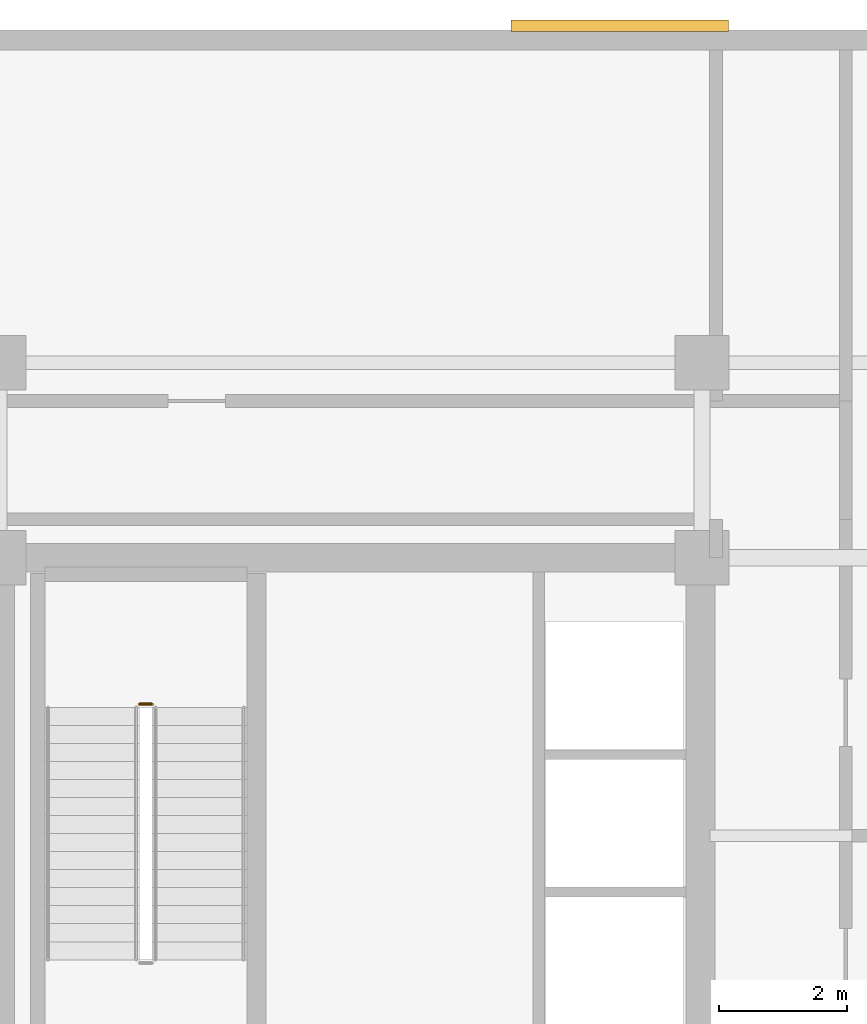
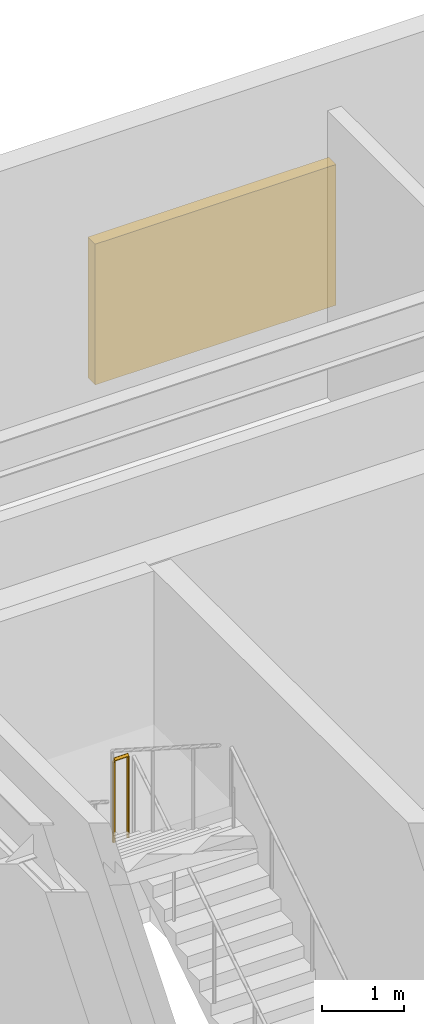
# One storey, part 14 of 14: 1 railing, 1 shading device.
"""IFC4 building model written with IfcOpenShell, lengths in metres."""

from ifc_helpers import new_model, si_unit, direction, frame, origin, origin_2d, place, context, subcontext, project, spatial, rectangle, circle, extrude, material, layer, layer_set, type_object, element, save


model = new_model("IFC4")

# Units and contexts
model_context = context("Model", 3, precision=1e-05, world=origin(), true_north=direction((0.0, 1.0)))
body_context = subcontext(model_context, "Body", "Model", "MODEL_VIEW")
ifc_project = project(units=[si_unit("LENGTHUNIT", "METRE"), si_unit("AREAUNIT", "SQUARE_METRE"), si_unit("VOLUMEUNIT", "CUBIC_METRE"), si_unit("PLANEANGLEUNIT", "RADIAN"), si_unit("MASSUNIT", "GRAM", prefix="KILO")], contexts=[model_context])

# Site, building, storey
site_placement = place(None, origin())
site = spatial("IfcSite", under=ifc_project, at=site_placement, CompositionType="ELEMENT")
building_placement = place(site_placement, origin())
building = spatial("IfcBuilding", under=site, at=building_placement, Name="Ochreholt Gables", CompositionType="ELEMENT")
storey_placement = place(building_placement, frame((0.0, 0.0, 71.39990234375)))
storey = spatial("IfcBuildingStorey", under=building, at=storey_placement, Name="L18", CompositionType="ELEMENT", Elevation=71.39990234375)

# Railing
ifc_material_1 = material(Name="Painted Steel Stair Guardrail", Category="steel")
railing_type = type_object("IfcRailingType", Name="RL-ST-GUARD", PredefinedType="GUARDRAIL", material=ifc_material_1)
railing_placement = place(storey_placement, frame((26.60009765625, 36.4580078125, 2.7001953125)))
element("IfcRailing", 1, at=railing_placement, inside=storey, type_object=railing_type, Name="L18 ST-2 stair guard 2", PredefinedType="GUARDRAIL", context=body_context, shape_type="SweptSolid", body=[
    extrude(circle(Radius=0.02392578125, at=origin_2d()), frame((0.0, 0.0, 1.22607421875), z_axis=(-1.0, 0.0, 0.0), x_axis=(0.0, -1.0, 0.0)), (0.0, 0.0, 1.0), 0.2001953125),
    extrude(circle(Radius=0.02099609375, at=origin_2d()), origin(), (0.0, 0.0, 1.0), 1.201904296875),
    extrude(circle(Radius=0.02099609375, at=origin_2d()), frame((-0.2001953125, 0.0, 0.0)), (0.0, 0.0, 1.0), 1.201904296875),
])

# Shading device
ifc_material_2 = material(Name="Anodized Aluminium Acoustic Weather Louvre", Category="aluminium")
ifc_layer = layer(ifc_material_2, 0.179931640625, Name="Anodized Aluminium Acoustic Weather Louvre")
ifc_layer_set = layer_set([ifc_layer], Name="Anodized Aluminium Acoustic Weather Louvre")
shading_device_type = type_object("IfcShadingDeviceType", Name="SHD-LOUVRE", PredefinedType="JALOUSIE", material=ifc_layer_set)
shading_device_placement = place(storey_placement, frame((33.912109375, 47.070068359375, 1.10009765625), z_axis=(0.0, 0.0, 1.0), x_axis=(-1.0, 0.0, 0.0)))
element("IfcShadingDevice", 2, at=shading_device_placement, inside=storey, type_object=shading_device_type, Name="L18 Acoustic Plant Louvre North-1", PredefinedType="JALOUSIE", context=body_context, shape_type="SweptSolid", body=[
    extrude(rectangle(XDim=3.39990234375, YDim=0.179931640625, at=origin_2d()), origin(), (0.0, 0.0, 1.0), 2.10009765625),
])

save(model, "model.ifc")
